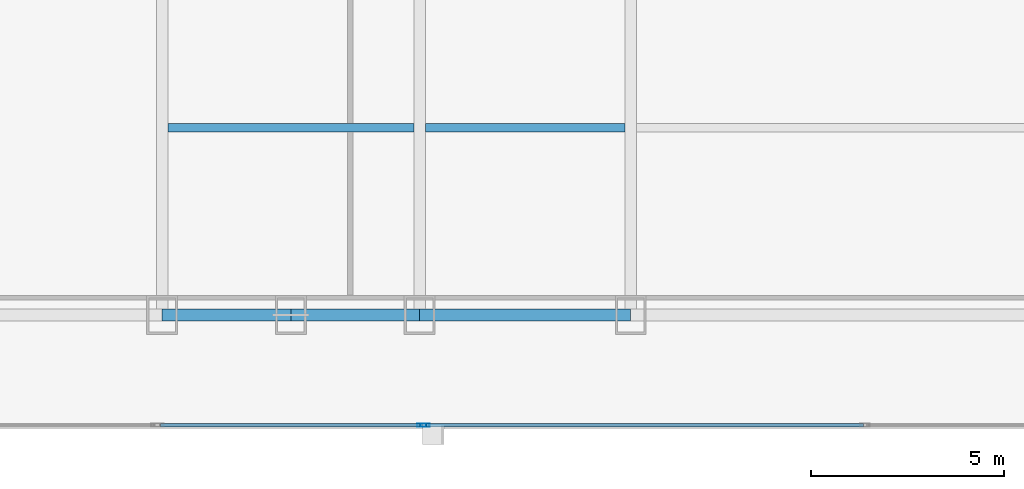
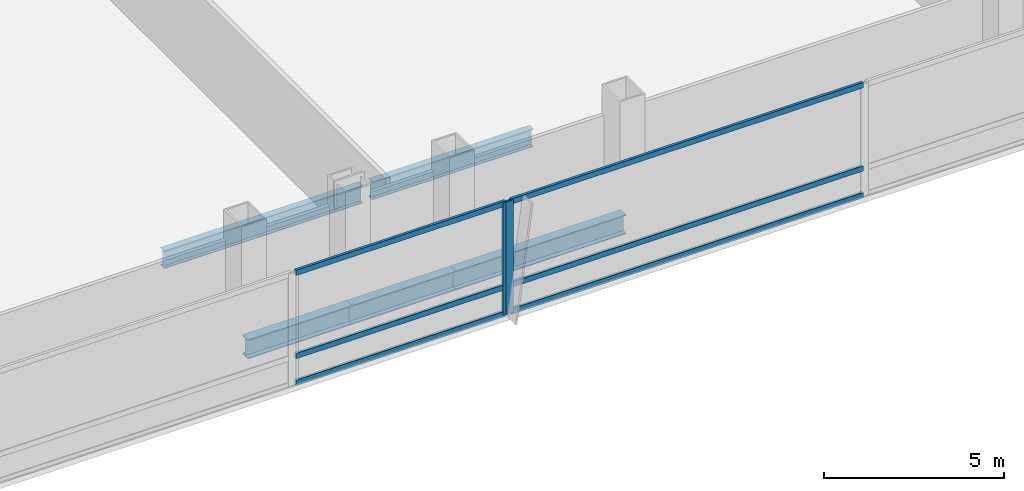
# One storey, part 8 of 33: 8 members, 5 beams, 2 elements without a shape of their own.
"""IFC4 building model written with IfcOpenShell, lengths in metres."""

from ifc_helpers import new_model, si_unit, direction, frame, origin, origin_2d, place, context, subcontext, project, spatial, hollow_rectangle, i_section, extrude, material, material_profile, profile_set, type_object, element, aggregate, save


model = new_model("IFC4")

# Units and contexts
model_context = context("Model", 3, precision=1e-05, world=origin(), true_north=direction((0.0, 1.0)))
body_context = subcontext(model_context, "Body", "Model", "MODEL_VIEW")
ifc_project = project(units=[si_unit("LENGTHUNIT", "METRE"), si_unit("AREAUNIT", "SQUARE_METRE"), si_unit("VOLUMEUNIT", "CUBIC_METRE"), si_unit("PLANEANGLEUNIT", "RADIAN"), si_unit("MASSUNIT", "GRAM", prefix="KILO")], contexts=[model_context])

# Site, building, storey
site_placement = place(None, origin())
site = spatial("IfcSite", under=ifc_project, at=site_placement, CompositionType="ELEMENT")
building_placement = place(site_placement, origin())
building = spatial("IfcBuilding", under=site, at=building_placement, Name="Khoronbel Lancet Exchange", CompositionType="ELEMENT")
storey_placement = place(building_placement, frame((0.0, 0.0, 33.800048828125)))
storey = spatial("IfcBuildingStorey", under=building, at=storey_placement, Name="L07", CompositionType="ELEMENT", Elevation=33.800048828125)

# Beams
ifc_material_1 = material(Name="Steel S355", Category="steel")
ifc_material_profile_1 = material_profile(ifc_material_1, i_section(OverallWidth=0.219970703125, OverallDepth=0.60009765625, WebThickness=0.011962890625, FlangeThickness=0.01904296875, at=origin_2d()), Name="IPE 600")
ifc_profile_set_1 = profile_set([ifc_material_profile_1], Name="Steel S355")
beam_type_1 = type_object("IfcBeamType", Name="BM-BJ1", PredefinedType="JOIST", material=ifc_profile_set_1)
beam_1_placement = place(storey_placement, frame((18.375, 15.0, -0.47998046875), z_axis=(1.0, 0.0, 0.0), x_axis=(0.0, 1.0, 0.0)))
element("IfcBeam", 1, at=beam_1_placement, inside=storey, type_object=beam_type_1, Name="Level L07 secondary composite joist J01", PredefinedType="JOIST", context=body_context, shape_type="SweptSolid", body=[
    extrude(i_section(OverallWidth=0.219970703125, OverallDepth=0.60009765625, WebThickness=0.011962890625, FlangeThickness=0.01904296875, at=origin_2d()), origin(), (0.0, 0.0, 1.0), 6.375),
])
beam_2_placement = place(storey_placement, frame((25.050048828125, 15.0, -0.47998046875), z_axis=(1.0, 0.0, 0.0), x_axis=(0.0, 1.0, 0.0)))
element("IfcBeam", 2, at=beam_2_placement, inside=storey, type_object=beam_type_1, Name="Level L07 secondary composite joist J02", PredefinedType="JOIST", context=body_context, shape_type="SweptSolid", body=[
    extrude(i_section(OverallWidth=0.219970703125, OverallDepth=0.60009765625, WebThickness=0.011962890625, FlangeThickness=0.01904296875, at=origin_2d()), origin(), (0.0, 0.0, 1.0), 5.175048828125),
])
ifc_material_profile_2 = material_profile(ifc_material_1, i_section(OverallWidth=0.300048828125, OverallDepth=0.64990234375, WebThickness=0.01611328125, FlangeThickness=0.031005859375, at=origin_2d()), Name="HEB 650")
ifc_profile_set_2 = profile_set([ifc_material_profile_2], Name="Steel S355")
beam_type_2 = type_object("IfcBeamType", Name="BM-BSP1", PredefinedType="SPANDREL", material=ifc_profile_set_2)
for number, where, z_axis, x_axis, name in (
    (3, (18.22509765625, 10.14990234375, -0.505126953125), (1.0, 0.0, 0.0), (0.0, 1.0, 0.0), "Level L07 perimeter spandrel beam SP02"),
    (4, (21.5625, 10.14990234375, -0.505126953125), (1.0, 0.0, 0.0), (0.0, 1.0, 0.0), "Level L07 perimeter spandrel beam SP03"),
):
    element("IfcBeam", number, at=place(storey_placement, frame(where, z_axis=z_axis, x_axis=x_axis)), inside=storey, type_object=beam_type_2, Name=name, PredefinedType="SPANDREL", context=body_context, shape_type="SweptSolid", body=[
        extrude(i_section(OverallWidth=0.300048828125, OverallDepth=0.64990234375, WebThickness=0.01611328125, FlangeThickness=0.031005859375, at=origin_2d()), origin(), (0.0, 0.0, 1.0), 3.33740234375),
    ])
beam_3_placement = place(storey_placement, frame((24.89990234375, 10.14990234375, -0.505126953125), z_axis=(1.0, 0.0, 0.0), x_axis=(0.0, 1.0, 0.0)))
element("IfcBeam", 5, at=beam_3_placement, inside=storey, type_object=beam_type_2, Name="Level L07 perimeter spandrel beam SP04", PredefinedType="SPANDREL", context=body_context, shape_type="SweptSolid", body=[
    extrude(i_section(OverallWidth=0.300048828125, OverallDepth=0.64990234375, WebThickness=0.01611328125, FlangeThickness=0.031005859375, at=origin_2d()), origin(), (0.0, 0.0, 1.0), 5.47509765625),
])

# Curtain wall, member
ifc_material_2 = material(Name="Low-E Solar Control Insulating Glass", Category="glass")
curtain_wall_type = type_object("IfcCurtainWallType", Name="CW-1", PredefinedType="NOTDEFINED", material=ifc_material_2)
curtain_wall_1_placement = place(storey_placement, origin())
curtain_wall_1 = element("IfcCurtainWall", 6, at=curtain_wall_1_placement, inside=storey, type_object=curtain_wall_type, Name="Unitised curtain wall CW-L07-SWB", PredefinedType="NOTDEFINED")
ifc_material_3 = material(Name="Bronze-Anodised Aluminium 6063-T6", Category="aluminium")
ifc_material_profile_3 = material_profile(ifc_material_3, hollow_rectangle(XDim=0.0849609375, YDim=0.239990234375, WallThickness=0.006103515625, at=origin_2d()), Name="ALU MULLION 85x240")
ifc_profile_set_3 = profile_set([ifc_material_profile_3], Name="Bronze-Anodised Aluminium 6063-T6")
member_type_1 = type_object("IfcMemberType", Name="MEM-CWM1", PredefinedType="MULLION", material=ifc_profile_set_3)
member_1_placement = place(storey_placement, frame((24.95751953125, 7.2900390625, 0.0), z_axis=(0.0, 0.0, 1.0), x_axis=(0.0, 1.0, 0.0)))
member_1 = element("IfcMember", 7, at=member_1_placement, type_object=member_type_1, Name="CW1 mullion 2", PredefinedType="MULLION", context=body_context, shape_type="SweptSolid", body=[
    extrude(hollow_rectangle(XDim=0.0849609375, YDim=0.239990234375, WallThickness=0.006103515625, at=origin_2d()), origin(), (0.0, 0.0, 1.0), 3.820068359375),
])

curtain_wall_2_placement = place(storey_placement, origin())
curtain_wall_2 = element("IfcCurtainWall", 8, at=curtain_wall_2_placement, inside=storey, type_object=curtain_wall_type, Name="Unitised curtain wall CW-L07-SCV", PredefinedType="NOTDEFINED")
member_2_placement = place(storey_placement, frame((25.04248046875, 7.2900390625, 0.0), z_axis=(0.0, 0.0, 1.0), x_axis=(0.0, 1.0, 0.0)))
member_2 = element("IfcMember", 9, at=member_2_placement, type_object=member_type_1, Name="CW1 mullion 1", PredefinedType="MULLION", context=body_context, shape_type="SweptSolid", body=[
    extrude(hollow_rectangle(XDim=0.0849609375, YDim=0.239990234375, WallThickness=0.006103515625, at=origin_2d()), origin(), (0.0, 0.0, 1.0), 3.820068359375),
])

# Member
ifc_material_profile_4 = material_profile(ifc_material_3, hollow_rectangle(XDim=0.0849609375, YDim=0.179931640625, WallThickness=0.0048828125, at=origin_2d()), Name="ALU TRANSOM 85x180")
ifc_profile_set_4 = profile_set([ifc_material_profile_4], Name="Bronze-Anodised Aluminium 6063-T6")
member_type_2 = type_object("IfcMemberType", Name="MEM-CWT1", PredefinedType="USERDEFINED", material=ifc_profile_set_4)
member_3_placement = place(storey_placement, frame((18.18505859375, 7.2900390625, 0.04248046875), z_axis=(1.0, 0.0, 0.0), x_axis=(0.0, 1.0, 0.0)))
member_3 = element("IfcMember", 10, at=member_3_placement, type_object=member_type_2, Name="CW1 transom 1.1", ObjectType="TRANSOM", PredefinedType="USERDEFINED", context=body_context, shape_type="SweptSolid", body=[
    extrude(hollow_rectangle(XDim=0.0849609375, YDim=0.179931640625, WallThickness=0.0048828125, at=origin_2d()), origin(), (0.0, 0.0, 1.0), 6.72998046875),
])

member_4_placement = place(storey_placement, frame((18.18505859375, 7.2900390625, 0.949951171875), z_axis=(1.0, 0.0, 0.0), x_axis=(0.0, 1.0, 0.0)))
member_4 = element("IfcMember", 11, at=member_4_placement, type_object=member_type_2, Name="CW1 transom 1.2", ObjectType="TRANSOM", PredefinedType="USERDEFINED", context=body_context, shape_type="SweptSolid", body=[
    extrude(hollow_rectangle(XDim=0.0849609375, YDim=0.179931640625, WallThickness=0.0048828125, at=origin_2d()), origin(), (0.0, 0.0, 1.0), 6.72998046875),
])

member_5_placement = place(storey_placement, frame((18.18505859375, 7.2900390625, 3.77734375), z_axis=(1.0, 0.0, 0.0), x_axis=(0.0, 1.0, 0.0)))
member_5 = element("IfcMember", 12, at=member_5_placement, type_object=member_type_2, Name="CW1 transom 1.3", ObjectType="TRANSOM", PredefinedType="USERDEFINED", context=body_context, shape_type="SweptSolid", body=[
    extrude(hollow_rectangle(XDim=0.0849609375, YDim=0.179931640625, WallThickness=0.0048828125, at=origin_2d()), origin(), (0.0, 0.0, 1.0), 6.72998046875),
])

aggregate(curtain_wall_1, [member_1, member_3, member_4, member_5])

member_6_placement = place(storey_placement, frame((25.0849609375, 7.2900390625, 0.04248046875), z_axis=(1.0, 0.0, 0.0), x_axis=(0.0, 1.0, 0.0)))
member_6 = element("IfcMember", 13, at=member_6_placement, type_object=member_type_2, Name="CW1 transom 1.1", ObjectType="TRANSOM", PredefinedType="USERDEFINED", context=body_context, shape_type="SweptSolid", body=[
    extrude(hollow_rectangle(XDim=0.0849609375, YDim=0.179931640625, WallThickness=0.0048828125, at=origin_2d()), origin(), (0.0, 0.0, 1.0), 11.322509765625),
])

member_7_placement = place(storey_placement, frame((25.0849609375, 7.2900390625, 0.949951171875), z_axis=(1.0, 0.0, 0.0), x_axis=(0.0, 1.0, 0.0)))
member_7 = element("IfcMember", 14, at=member_7_placement, type_object=member_type_2, Name="CW1 transom 1.2", ObjectType="TRANSOM", PredefinedType="USERDEFINED", context=body_context, shape_type="SweptSolid", body=[
    extrude(hollow_rectangle(XDim=0.0849609375, YDim=0.179931640625, WallThickness=0.0048828125, at=origin_2d()), origin(), (0.0, 0.0, 1.0), 11.322509765625),
])

member_8_placement = place(storey_placement, frame((25.0849609375, 7.2900390625, 3.77734375), z_axis=(1.0, 0.0, 0.0), x_axis=(0.0, 1.0, 0.0)))
member_8 = element("IfcMember", 15, at=member_8_placement, type_object=member_type_2, Name="CW1 transom 1.3", ObjectType="TRANSOM", PredefinedType="USERDEFINED", context=body_context, shape_type="SweptSolid", body=[
    extrude(hollow_rectangle(XDim=0.0849609375, YDim=0.179931640625, WallThickness=0.0048828125, at=origin_2d()), origin(), (0.0, 0.0, 1.0), 11.322509765625),
])

aggregate(curtain_wall_2, [member_2, member_6, member_7, member_8])

save(model, "model.ifc")
